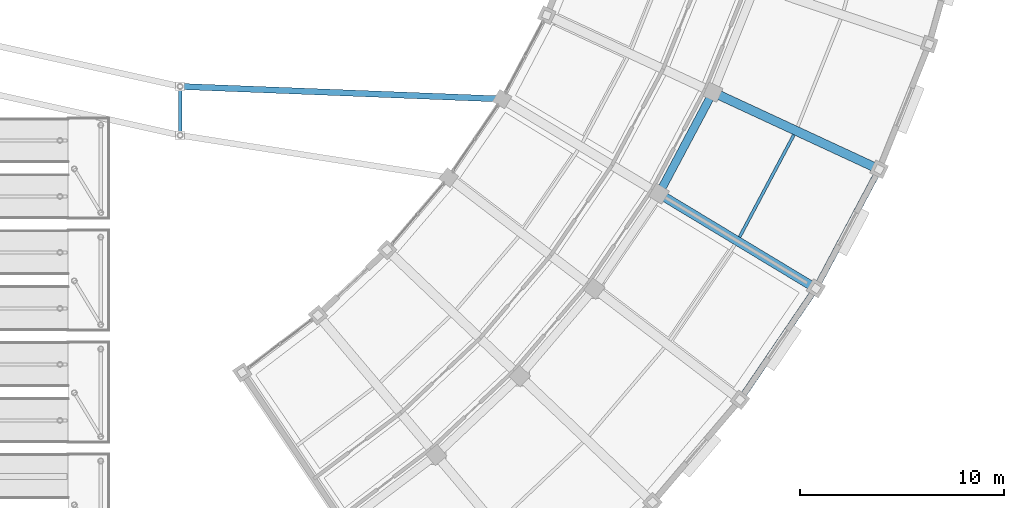
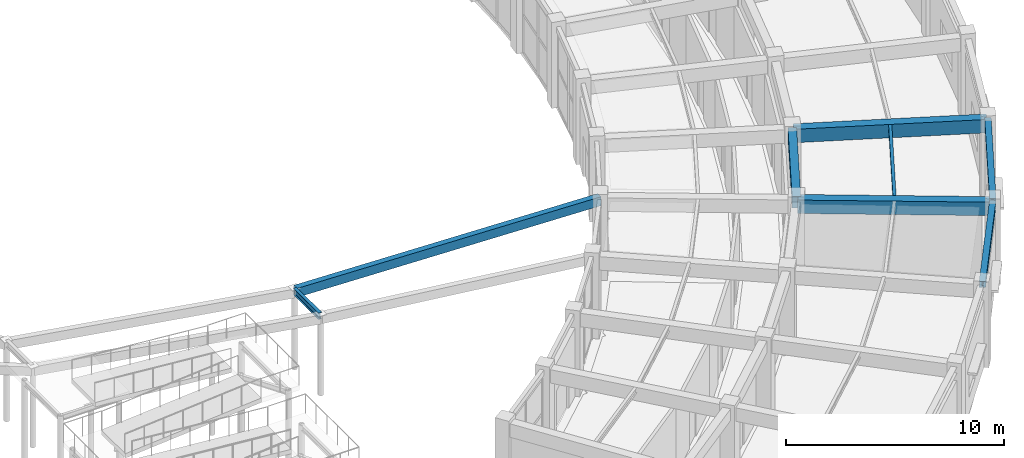
# One storey, part 64 of 108: 8 beams.
"""IFC4 building model written with IfcOpenShell, lengths in metres."""

from ifc_helpers import new_model, si_unit, direction, frame, origin, origin_2d, place, context, subcontext, project, spatial, rectangle, hollow_rectangle, i_section, extrude, material, material_profile, profile_set, type_object, element, save


model = new_model("IFC4")

# Units and contexts
model_context = context("Model", 3, precision=1e-05, world=origin(), true_north=direction((0.0, 1.0)))
body_context = subcontext(model_context, "Body", "Model", "MODEL_VIEW")
ifc_project = project(units=[si_unit("LENGTHUNIT", "METRE"), si_unit("AREAUNIT", "SQUARE_METRE"), si_unit("VOLUMEUNIT", "CUBIC_METRE"), si_unit("PLANEANGLEUNIT", "RADIAN"), si_unit("MASSUNIT", "GRAM", prefix="KILO")], contexts=[model_context])

# Site, building, storey
site_placement = place(None, origin())
site = spatial("IfcSite", under=ifc_project, at=site_placement, CompositionType="ELEMENT")
building_placement = place(site_placement, origin())
building = spatial("IfcBuilding", under=site, at=building_placement, Name="Tarnveldt Headland Concert Hall", CompositionType="ELEMENT")
storey_placement = place(building_placement, origin())
storey = spatial("IfcBuildingStorey", under=building, at=storey_placement, Name="L00", CompositionType="ELEMENT", Elevation=0.0)

# Beams
ifc_material_1 = material(Name="Concrete C40/50", Category="concrete")
ifc_material_profile_1 = material_profile(ifc_material_1, rectangle(XDim=0.39990234375, YDim=0.64990234375, at=origin_2d()), Name="RC 400x650", Category="concrete")
ifc_profile_set_1 = profile_set([ifc_material_profile_1], Name="Concrete C40/50")
beam_type_1 = type_object("IfcBeamType", Name="CB-400x650", PredefinedType="BEAM", material=ifc_profile_set_1)
beam_1_placement = place(storey_placement, frame((162.048828125, 33.1845703125, 4.195068359375), z_axis=(0.469470779484, 0.882948009348, 0.0), x_axis=(-0.882948009348, 0.469470779484, 0.0)))
element("IfcBeam", 1, at=beam_1_placement, inside=storey, type_object=beam_type_1, Name="Framing beam L00-455", PredefinedType="BEAM", context=body_context, shape_type="SweptSolid", body=[
    extrude(rectangle(XDim=0.39990234375, YDim=0.64990234375, at=origin_2d()), origin(), (0.0, 0.0, 1.0), 5.5244140625),
])
ifc_material_profile_2 = material_profile(ifc_material_1, rectangle(XDim=0.449951171875, YDim=0.75, at=origin_2d()), Name="RC 450x750", Category="concrete")
ifc_profile_set_2 = profile_set([ifc_material_profile_2], Name="Concrete C40/50")
beam_type_2 = type_object("IfcBeamType", Name="CB-450x750", PredefinedType="BEAM", material=ifc_profile_set_2)
for number, where, z_axis, x_axis, name in (
    (2, (162.072021484375, 33.1005859375, 4.14501953125), (0.856163126583, -0.516705622845, 0.0), (0.516705622845, 0.856163126583, 0.0), "Framing beam L00-453"),
    (3, (164.724853515625, 38.090087890625, 4.14501953125), (0.907125568287, -0.420860075749, 0.0), (0.420860075749, 0.907125568287, 0.0), "Framing beam L00-460"),
):
    element("IfcBeam", number, at=place(storey_placement, frame(where, z_axis=z_axis, x_axis=x_axis)), inside=storey, type_object=beam_type_2, Name=name, PredefinedType="BEAM", context=body_context, shape_type="SweptSolid", body=[
        extrude(rectangle(XDim=0.449951171875, YDim=0.75, at=origin_2d()), origin(), (0.0, 0.0, 1.0), 8.880126953125),
    ])
ifc_material_2 = material(Name="Steel S355", Category="steel")
ifc_material_profile_3 = material_profile(ifc_material_2, i_section(OverallWidth=0.300048828125, OverallDepth=0.35009765625, WebThickness=0.010009765625, FlangeThickness=0.017578125, FilletRadius=0.027099609375, at=origin_2d()), Name="HEA360", Category="steel")
ifc_profile_set_3 = profile_set([ifc_material_profile_3], Name="Steel S355")
beam_type_3 = type_object("IfcBeamType", Name="SB-HEA360", PredefinedType="SPANDREL", material=ifc_profile_set_3)
beam_2_placement = place(storey_placement, frame((166.0361328125, 23.05615234375, 4.344970703125), z_axis=(0.562406572897, 0.826860838813, 0.0), x_axis=(-0.826860838813, 0.562406572897, 0.0)))
element("IfcBeam", 4, at=beam_2_placement, inside=storey, type_object=beam_type_3, Name="Framing beam L00-449", PredefinedType="SPANDREL", context=body_context, shape_type="SweptSolid", body=[
    extrude(i_section(OverallWidth=0.300048828125, OverallDepth=0.35009765625, WebThickness=0.010009765625, FlangeThickness=0.017578125, FilletRadius=0.027099609375, at=origin_2d()), origin(), (0.0, 0.0, 1.0), 6.5009765625),
])
beam_3_placement = place(storey_placement, frame((169.75439453125, 28.5341796875, 4.344970703125), z_axis=(0.469455397466, 0.882956187922, 0.0), x_axis=(-0.882956187922, 0.469455397466, 0.0)))
element("IfcBeam", 5, at=beam_3_placement, inside=storey, type_object=beam_type_3, Name="Framing beam L00-456", PredefinedType="SPANDREL", context=body_context, shape_type="SweptSolid", body=[
    extrude(i_section(OverallWidth=0.300048828125, OverallDepth=0.35009765625, WebThickness=0.010009765625, FlangeThickness=0.017578125, FilletRadius=0.027099609375, at=origin_2d()), origin(), (0.0, 0.0, 1.0), 6.501220703125),
])
ifc_material_profile_4 = material_profile(ifc_material_2, i_section(OverallWidth=0.14990234375, OverallDepth=0.300048828125, WebThickness=0.007080078125, FlangeThickness=0.0107421875, FilletRadius=0.014892578125, at=origin_2d()), Name="IPE300", Category="steel")
ifc_profile_set_4 = profile_set([ifc_material_profile_4], Name="Steel S355")
beam_type_4 = type_object("IfcBeamType", Name="SB-IPE300", PredefinedType="JOIST", material=ifc_profile_set_4)
beam_4_placement = place(storey_placement, frame((165.97900390625, 31.005126953125, 4.3701171875), z_axis=(0.469481870432, 0.882942112109, 0.0), x_axis=(-0.882942112109, 0.469481870432, 0.0)))
element("IfcBeam", 6, at=beam_4_placement, inside=storey, type_object=beam_type_4, Name="Framing beam L00-458", PredefinedType="JOIST", context=body_context, shape_type="SweptSolid", body=[
    extrude(i_section(OverallWidth=0.14990234375, OverallDepth=0.300048828125, WebThickness=0.007080078125, FlangeThickness=0.0107421875, FilletRadius=0.014892578125, at=origin_2d()), origin(), (0.0, 0.0, 1.0), 5.682861328125),
])
ifc_material_profile_5 = material_profile(ifc_material_2, i_section(OverallWidth=0.169921875, OverallDepth=0.360107421875, WebThickness=0.008056640625, FlangeThickness=0.0126953125, FilletRadius=0.01806640625, at=origin_2d()), Name="IPE360", Category="steel")
ifc_profile_set_5 = profile_set([ifc_material_profile_5], Name="Steel S355")
beam_type_5 = type_object("IfcBeamType", Name="SB-IPE360", PredefinedType="JOIST", material=ifc_profile_set_5)
beam_5_placement = place(storey_placement, frame((138.5, 36.0400390625, 4.35009765625), z_axis=(0.0, 1.0, 0.0), x_axis=(-1.0, 0.0, 0.0)))
element("IfcBeam", 7, at=beam_5_placement, inside=storey, type_object=beam_type_5, Name="Framing beam L00-1427", PredefinedType="JOIST", context=body_context, shape_type="SweptSolid", body=[
    extrude(i_section(OverallWidth=0.169921875, OverallDepth=0.360107421875, WebThickness=0.008056640625, FlangeThickness=0.0126953125, FilletRadius=0.01806640625, at=origin_2d()), origin(), (0.0, 0.0, 1.0), 2.320068359375),
])
ifc_material_profile_6 = material_profile(ifc_material_2, hollow_rectangle(XDim=0.300048828125, YDim=0.5, WallThickness=0.02001953125, at=origin_2d()), Name="RHS 500x300x20", Category="steel")
ifc_profile_set_6 = profile_set([ifc_material_profile_6], Name="Steel S355")
beam_type_6 = type_object("IfcBeamType", Name="SB-RHS500", PredefinedType="BEAM", material=ifc_profile_set_6)
beam_6_placement = place(storey_placement, frame((138.5400390625, 38.3984375, 4.280029296875), z_axis=(0.999237096143, -0.039054137953, 0.0), x_axis=(0.039054137953, 0.999237096143, 0.0)))
element("IfcBeam", 8, at=beam_6_placement, inside=storey, type_object=beam_type_6, Name="Framing beam L00-1425", PredefinedType="BEAM", context=body_context, shape_type="SweptSolid", body=[
    extrude(hollow_rectangle(XDim=0.300048828125, YDim=0.5, WallThickness=0.02001953125, at=origin_2d()), origin(), (0.0, 0.0, 1.0), 15.7470703125),
])

save(model, "model.ifc")
